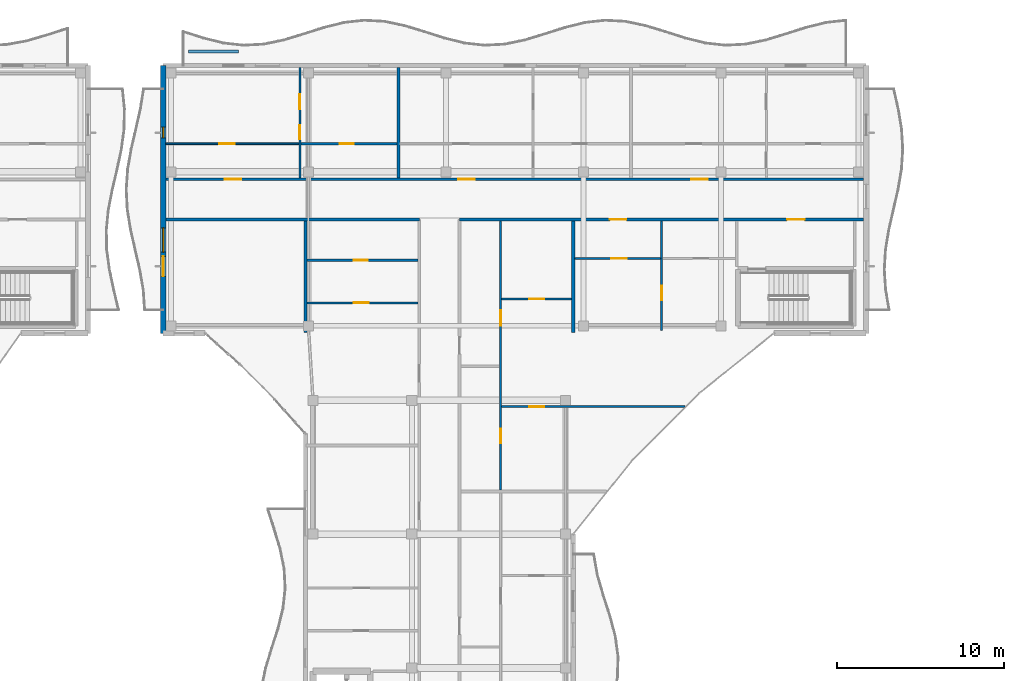
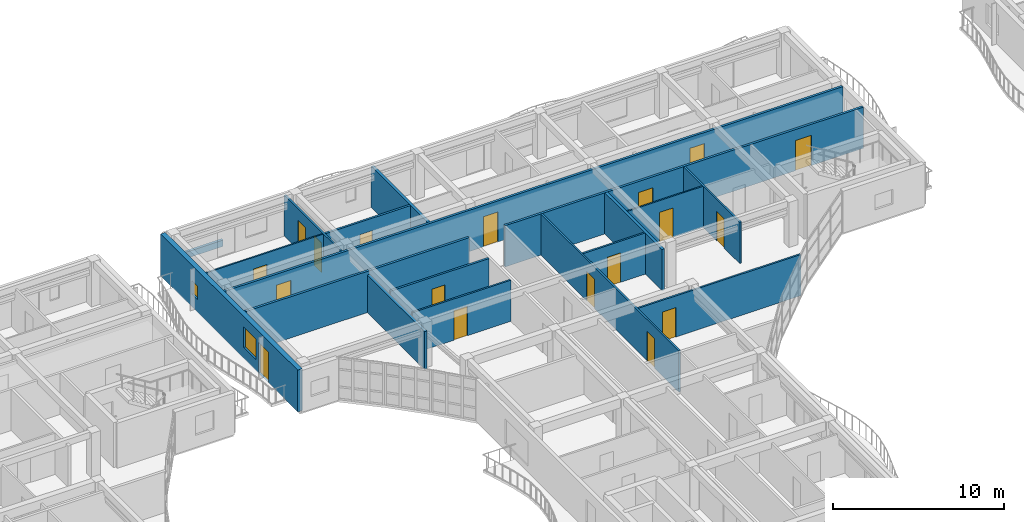
# One storey, part 36 of 76: 18 doors, 18 walls, 2 windows, 20 openings.
"""IFC4 building model written with IfcOpenShell, lengths in metres."""

from ifc_helpers import new_model, si_unit, direction, frame, frame_2d, origin, place, context, subcontext, project, spatial, rectangle, extrude, material, layer, layer_set, type_object, element, fill, save


model = new_model("IFC4")

# Units and contexts
model_context = context("Model", 3, precision=1e-05, world=origin(), true_north=direction((0.0, 1.0)))
body_context = subcontext(model_context, "Body", "Model", "MODEL_VIEW")
ifc_project = project(units=[si_unit("LENGTHUNIT", "METRE"), si_unit("AREAUNIT", "SQUARE_METRE"), si_unit("VOLUMEUNIT", "CUBIC_METRE"), si_unit("PLANEANGLEUNIT", "RADIAN"), si_unit("MASSUNIT", "GRAM", prefix="KILO")], contexts=[model_context])

# Site, building, storey
site_placement = place(None, origin())
site = spatial("IfcSite", under=ifc_project, at=site_placement, CompositionType="ELEMENT")
building_placement = place(site_placement, origin())
building = spatial("IfcBuilding", under=site, at=building_placement, Name="Keldmere Railside Commons", CompositionType="ELEMENT")
storey_placement = place(building_placement, frame((0.0, 0.0, 13.760009765625)))
storey = spatial("IfcBuildingStorey", under=building, at=storey_placement, Name="L04", CompositionType="ELEMENT", Elevation=13.760009765625)

# Walls
ifc_material_1 = material(Name="Acoustic Gypsum Board Partition", Category="gypsum")
ifc_layer_1 = layer(ifc_material_1, 0.179931640625, Name="Acoustic Demising Partition 180")
ifc_layer_set_1 = layer_set([ifc_layer_1], Name="Acoustic Gypsum Board Partition")
wall_type_1 = type_object("IfcWallType", Name="Acoustic Demising Partition 180", PredefinedType="PARTITIONING", material=ifc_layer_set_1)
wall_1_placement = place(storey_placement, frame((64.0, 100.050048828125, 0.0), z_axis=(0.0, 0.0, 1.0), x_axis=(0.0, 1.0, 0.0)))
element("IfcWall", 1, at=wall_1_placement, inside=storey, type_object=wall_type_1, Name="IW-1 IW-L04-0644", PredefinedType="PARTITIONING", context=body_context, shape_type="SweptSolid", body=[
    extrude(rectangle(XDim=6.669921875, YDim=0.179931640625, at=frame_2d((3.3349609375, 0.0))), origin(), (0.0, 0.0, 1.0), 2.93505859375),
])
wall_2_placement = place(storey_placement, frame((48.0, 100.050048828125, 0.0), z_axis=(0.0, 0.0, 1.0), x_axis=(0.0, 1.0, 0.0)))
element("IfcWall", 2, at=wall_2_placement, inside=storey, type_object=wall_type_1, Name="IW-1 IW-L04-0645", PredefinedType="PARTITIONING", context=body_context, shape_type="SweptSolid", body=[
    extrude(rectangle(XDim=6.669921875, YDim=0.179931640625, at=frame_2d((3.3349609375, 0.0))), origin(), (0.0, 0.0, 1.0), 2.679931640625),
])
wall_3_placement = place(storey_placement, frame((53.550048828125, 109.280029296875, 0.0), z_axis=(0.0, 0.0, 1.0), x_axis=(0.0, 1.0, 0.0)))
element("IfcWall", 3, at=wall_3_placement, inside=storey, type_object=wall_type_1, Name="IW-1 IW-L04-0662", PredefinedType="PARTITIONING", context=body_context, shape_type="SweptSolid", body=[
    extrude(rectangle(XDim=6.599853515625, YDim=0.179931640625, at=frame_2d((3.2998046875, 0.0))), origin(), (0.0, 0.0, 1.0), 2.93505859375),
])

# Wall, openings, doors
ifc_layer_2 = layer(ifc_material_1, 0.1201171875, Name="Apartment Interior Partition 120")
ifc_layer_set_2 = layer_set([ifc_layer_2], Name="Acoustic Gypsum Board Partition")
wall_type_2 = type_object("IfcWallType", Name="Apartment Interior Partition 120", PredefinedType="PARTITIONING", material=ifc_layer_set_2)
wall_4_placement = place(storey_placement, frame((59.659912109375, 90.6298828125, 0.0), z_axis=(0.0, 0.0, 1.0), x_axis=(0.0, 1.0, 0.0)))
wall_4 = element("IfcWall", 4, at=wall_4_placement, inside=storey, type_object=wall_type_2, Name="IW-4 IW-L04-0658", PredefinedType="PARTITIONING", context=body_context, shape_type="SweptSolid", body=[
    extrude(rectangle(XDim=16.090087890625, YDim=0.1201171875, at=frame_2d((8.044921875, 0.0))), origin(), (0.0, 0.0, 1.0), 2.93505859375),
])
opening_1_placement = place(wall_4_placement, frame((2.81201171875, 0.0, 0.0)))
opening_1 = element("IfcOpeningElement", 5, at=opening_1_placement, cuts=wall_4, Name="Opening ID-04", PredefinedType="OPENING", context=body_context, shape_type="SweptSolid", body=[
    extrude(rectangle(XDim=0.860107421875, YDim=2.10009765625, at=frame_2d((0.43017578125, 1.050048828125))), frame((0.0, 0.070068359375, 0.0), z_axis=(0.0, -1.0, 0.0), x_axis=(1.0, 0.0, 0.0)), (0.0, 0.0, 1.0), 0.14013671875),
])
opening_2_placement = place(wall_4_placement, frame((9.833251953125, 0.0, 0.0)))
opening_2 = element("IfcOpeningElement", 6, at=opening_2_placement, cuts=wall_4, Name="Opening ID-03", PredefinedType="OPENING", context=body_context, shape_type="SweptSolid", body=[
    extrude(rectangle(XDim=0.919921875, YDim=2.10009765625, at=frame_2d((0.4599609375, 1.050048828125))), frame((0.0, 0.070068359375, 0.0), z_axis=(0.0, -1.0, 0.0), x_axis=(1.0, 0.0, 0.0)), (0.0, 0.0, 1.0), 0.14013671875),
])
ifc_material_2 = material(Name="Engineered Oak Timber", Category="wood")
door_type_1 = type_object("IfcDoorType", Name="Apartment Bathroom Door 860x2100", OperationType="NOTDEFINED", PredefinedType="DOOR", material=ifc_material_2)
door_1_placement = place(opening_1_placement, origin())
door_1 = element("IfcDoor", 7, at=door_1_placement, inside=storey, type_object=door_type_1, Name="ID-04 IDR-L04-0544", OperationType="SINGLE_SWING_RIGHT", OverallHeight=2.10009765625, OverallWidth=0.860107421875, PredefinedType="DOOR", context=body_context, shape_type="SweptSolid", body=[
    extrude(rectangle(XDim=0.860107421875, YDim=2.10009765625, at=frame_2d((0.43017578125, 1.050048828125))), frame((0.0, 0.02490234375, 0.0), z_axis=(0.0, -1.0, 0.0), x_axis=(1.0, 0.0, 0.0)), (0.0, 0.0, 1.0), 0.050048828125),
])
fill(opening_1, door_1)
door_type_2 = type_object("IfcDoorType", Name="Kitchen Pocket-Frame Swing Door 920x2100", OperationType="NOTDEFINED", PredefinedType="DOOR", material=ifc_material_2)
door_2_placement = place(opening_2_placement, origin())
door_2 = element("IfcDoor", 8, at=door_2_placement, inside=storey, type_object=door_type_2, Name="ID-03 IDR-L04-0545", OperationType="SINGLE_SWING_LEFT", OverallHeight=2.10009765625, OverallWidth=0.919921875, PredefinedType="DOOR", context=body_context, shape_type="SweptSolid", body=[
    extrude(rectangle(XDim=0.919921875, YDim=2.10009765625, at=frame_2d((0.4599609375, 1.050048828125))), frame((0.0, 0.02490234375, 0.0), z_axis=(0.0, -1.0, 0.0), x_axis=(1.0, 0.0, 0.0)), (0.0, 0.0, 1.0), 0.050048828125),
])
fill(opening_2, door_2)

# Wall, opening, door
wall_5_placement = place(storey_placement, frame((59.719970703125, 95.6201171875, 0.0), z_axis=(0.0, 0.0, 1.0), x_axis=(1.0, 0.0, 0.0)))
wall_5 = element("IfcWall", 9, at=wall_5_placement, inside=storey, type_object=wall_type_2, Name="IW-4 IW-L04-0660", PredefinedType="PARTITIONING", context=body_context, shape_type="SweptSolid", body=[
    extrude(rectangle(XDim=10.967529296875, YDim=0.1201171875, at=frame_2d((5.48388671875, 0.0))), origin(), (0.0, 0.0, 1.0), 2.93505859375),
])
opening_3_placement = place(wall_5_placement, frame((1.64501953125, 0.0, 0.0)))
opening_3 = element("IfcOpeningElement", 10, at=opening_3_placement, cuts=wall_5, Name="Opening ID-01", PredefinedType="OPENING", context=body_context, shape_type="SweptSolid", body=[
    extrude(rectangle(XDim=0.89990234375, YDim=2.10009765625, at=frame_2d((0.449951171875, 1.050048828125))), frame((0.0, 0.070068359375, 0.0), z_axis=(0.0, -1.0, 0.0), x_axis=(1.0, 0.0, 0.0)), (0.0, 0.0, 1.0), 0.14013671875),
])
door_type_3 = type_object("IfcDoorType", Name="Primary Bedroom Door 900x2100", OperationType="NOTDEFINED", PredefinedType="DOOR", material=ifc_material_2)
door_3_placement = place(opening_3_placement, origin())
door_3 = element("IfcDoor", 11, at=door_3_placement, inside=storey, type_object=door_type_3, Name="ID-01 IDR-L04-0547", OperationType="SINGLE_SWING_LEFT", OverallHeight=2.10009765625, OverallWidth=0.89990234375, PredefinedType="DOOR", context=body_context, shape_type="SweptSolid", body=[
    extrude(rectangle(XDim=0.89990234375, YDim=2.10009765625, at=frame_2d((0.449951171875, 1.050048828125))), frame((0.0, 0.02490234375, 0.0), z_axis=(0.0, -1.0, 0.0), x_axis=(1.0, 0.0, 0.0)), (0.0, 0.0, 1.0), 0.050048828125),
])
fill(opening_3, door_3)

wall_6_placement = place(storey_placement, frame((59.719970703125, 102.050048828125, 0.0), z_axis=(0.0, 0.0, 1.0), x_axis=(1.0, 0.0, 0.0)))
wall_6 = element("IfcWall", 12, at=wall_6_placement, inside=storey, type_object=wall_type_2, Name="IW-4 IW-L04-0661", PredefinedType="PARTITIONING", context=body_context, shape_type="SweptSolid", body=[
    extrude(rectangle(XDim=4.18994140625, YDim=0.1201171875, at=frame_2d((2.094970703125, 0.0))), origin(), (0.0, 0.0, 1.0), 2.93505859375),
])
opening_4_placement = place(wall_6_placement, frame((1.655029296875, 0.0, 0.0)))
opening_4 = element("IfcOpeningElement", 13, at=opening_4_placement, cuts=wall_6, Name="Opening ID-02", PredefinedType="OPENING", context=body_context, shape_type="SweptSolid", body=[
    extrude(rectangle(XDim=0.8798828125, YDim=2.10009765625, at=frame_2d((0.43994140625, 1.050048828125))), frame((0.0, 0.070068359375, 0.0), z_axis=(0.0, -1.0, 0.0), x_axis=(1.0, 0.0, 0.0)), (0.0, 0.0, 1.0), 0.14013671875),
])
door_type_4 = type_object("IfcDoorType", Name="Secondary Bedroom Door 880x2100", OperationType="NOTDEFINED", PredefinedType="DOOR", material=ifc_material_2)
door_4_placement = place(opening_4_placement, origin())
door_4 = element("IfcDoor", 14, at=door_4_placement, inside=storey, type_object=door_type_4, Name="ID-02 IDR-L04-0548", OperationType="SINGLE_SWING_RIGHT", OverallHeight=2.10009765625, OverallWidth=0.8798828125, PredefinedType="DOOR", context=body_context, shape_type="SweptSolid", body=[
    extrude(rectangle(XDim=0.8798828125, YDim=2.10009765625, at=frame_2d((0.43994140625, 1.050048828125))), frame((0.0, 0.02490234375, 0.0), z_axis=(0.0, -1.0, 0.0), x_axis=(1.0, 0.0, 0.0)), (0.0, 0.0, 1.0), 0.050048828125),
])
fill(opening_4, door_4)

# Wall, openings, doors
wall_7_placement = place(storey_placement, frame((47.659912109375, 109.280029296875, 0.0), z_axis=(0.0, 0.0, 1.0), x_axis=(0.0, 1.0, 0.0)))
wall_7 = element("IfcWall", 15, at=wall_7_placement, inside=storey, type_object=wall_type_2, Name="IW-4 IW-L04-0664", PredefinedType="PARTITIONING", context=body_context, shape_type="SweptSolid", body=[
    extrude(rectangle(XDim=6.599853515625, YDim=0.1201171875, at=frame_2d((3.2998046875, 0.0))), origin(), (0.0, 0.0, 1.0), 2.93505859375),
])
opening_5_placement = place(wall_7_placement, frame((2.305908203125, 0.0, 0.0)))
opening_5 = element("IfcOpeningElement", 16, at=opening_5_placement, cuts=wall_7, Name="Opening ID-04", PredefinedType="OPENING", context=body_context, shape_type="SweptSolid", body=[
    extrude(rectangle(XDim=0.860107421875, YDim=2.10009765625, at=frame_2d((0.43017578125, 1.050048828125))), frame((0.0, 0.070068359375, 0.0), z_axis=(0.0, -1.0, 0.0), x_axis=(1.0, 0.0, 0.0)), (0.0, 0.0, 1.0), 0.14013671875),
])
opening_6_placement = place(wall_7_placement, frame((4.097412109375, 0.0, 0.0)))
opening_6 = element("IfcOpeningElement", 17, at=opening_6_placement, cuts=wall_7, Name="Opening ID-01", PredefinedType="OPENING", context=body_context, shape_type="SweptSolid", body=[
    extrude(rectangle(XDim=0.89990234375, YDim=2.10009765625, at=frame_2d((0.449951171875, 1.050048828125))), frame((0.0, 0.070068359375, 0.0), z_axis=(0.0, -1.0, 0.0), x_axis=(1.0, 0.0, 0.0)), (0.0, 0.0, 1.0), 0.14013671875),
])
door_5_placement = place(opening_5_placement, origin())
door_5 = element("IfcDoor", 18, at=door_5_placement, inside=storey, type_object=door_type_1, Name="ID-04 IDR-L04-0551", OperationType="SINGLE_SWING_LEFT", OverallHeight=2.10009765625, OverallWidth=0.860107421875, PredefinedType="DOOR", context=body_context, shape_type="SweptSolid", body=[
    extrude(rectangle(XDim=0.860107421875, YDim=2.10009765625, at=frame_2d((0.43017578125, 1.050048828125))), frame((0.0, 0.02490234375, 0.0), z_axis=(0.0, -1.0, 0.0), x_axis=(1.0, 0.0, 0.0)), (0.0, 0.0, 1.0), 0.050048828125),
])
fill(opening_5, door_5)
door_6_placement = place(opening_6_placement, origin())
door_6 = element("IfcDoor", 19, at=door_6_placement, inside=storey, type_object=door_type_3, Name="ID-01 IDR-L04-0552", OperationType="SINGLE_SWING_RIGHT", OverallHeight=2.10009765625, OverallWidth=0.89990234375, PredefinedType="DOOR", context=body_context, shape_type="SweptSolid", body=[
    extrude(rectangle(XDim=0.89990234375, YDim=2.10009765625, at=frame_2d((0.449951171875, 1.050048828125))), frame((0.0, 0.02490234375, 0.0), z_axis=(0.0, -1.0, 0.0), x_axis=(1.0, 0.0, 0.0)), (0.0, 0.0, 1.0), 0.050048828125),
])
fill(opening_6, door_6)

# Wall, opening, door
wall_8_placement = place(storey_placement, frame((69.280029296875, 100.159912109375, 0.0), z_axis=(0.0, 0.0, 1.0), x_axis=(0.0, 1.0, 0.0)))
wall_8 = element("IfcWall", 20, at=wall_8_placement, inside=storey, type_object=wall_type_2, Name="IW-4 IW-L04-0673", PredefinedType="PARTITIONING", context=body_context, shape_type="SweptSolid", body=[
    extrude(rectangle(XDim=6.56005859375, YDim=0.1201171875, at=frame_2d((3.280029296875, 0.0))), origin(), (0.0, 0.0, 1.0), 2.93505859375),
])
opening_7_placement = place(wall_8_placement, frame((1.810302734375, 0.0, 0.0)))
opening_7 = element("IfcOpeningElement", 21, at=opening_7_placement, cuts=wall_8, Name="Opening ID-02", PredefinedType="OPENING", context=body_context, shape_type="SweptSolid", body=[
    extrude(rectangle(XDim=0.8798828125, YDim=2.10009765625, at=frame_2d((0.43994140625, 1.050048828125))), frame((0.0, 0.070068359375, 0.0), z_axis=(0.0, -1.0, 0.0), x_axis=(1.0, 0.0, 0.0)), (0.0, 0.0, 1.0), 0.14013671875),
])
door_7_placement = place(opening_7_placement, origin())
door_7 = element("IfcDoor", 22, at=door_7_placement, inside=storey, type_object=door_type_4, Name="ID-02 IDR-L04-0566", OperationType="SINGLE_SWING_RIGHT", OverallHeight=2.10009765625, OverallWidth=0.8798828125, PredefinedType="DOOR", context=body_context, shape_type="SweptSolid", body=[
    extrude(rectangle(XDim=0.8798828125, YDim=2.10009765625, at=frame_2d((0.43994140625, 1.050048828125))), frame((0.0, 0.02490234375, 0.0), z_axis=(0.0, -1.0, 0.0), x_axis=(1.0, 0.0, 0.0)), (0.0, 0.0, 1.0), 0.050048828125),
])
fill(opening_7, door_7)

wall_9_placement = place(storey_placement, frame((48.090087890625, 101.820068359375, 0.0), z_axis=(0.0, 0.0, 1.0), x_axis=(1.0, 0.0, 0.0)))
wall_9 = element("IfcWall", 23, at=wall_9_placement, inside=storey, type_object=wall_type_2, Name="IW-4 IW-L04-0679", PredefinedType="PARTITIONING", context=body_context, shape_type="SweptSolid", body=[
    extrude(rectangle(XDim=6.6298828125, YDim=0.1201171875, at=frame_2d((3.31494140625, 0.0))), origin(), (0.0, 0.0, 1.0), 2.93505859375),
])
opening_8_placement = place(wall_9_placement, frame((2.78466796875, 0.0, 0.0)))
opening_8 = element("IfcOpeningElement", 24, at=opening_8_placement, cuts=wall_9, Name="Opening ID-03", PredefinedType="OPENING", context=body_context, shape_type="SweptSolid", body=[
    extrude(rectangle(XDim=0.919921875, YDim=2.10009765625, at=frame_2d((0.4599609375, 1.050048828125))), frame((0.0, 0.070068359375, 0.0), z_axis=(0.0, -1.0, 0.0), x_axis=(1.0, 0.0, 0.0)), (0.0, 0.0, 1.0), 0.14013671875),
])
door_8_placement = place(opening_8_placement, origin())
door_8 = element("IfcDoor", 25, at=door_8_placement, inside=storey, type_object=door_type_2, Name="ID-03 IDR-L04-0573", OperationType="SINGLE_SWING_LEFT", OverallHeight=2.10009765625, OverallWidth=0.919921875, PredefinedType="DOOR", context=body_context, shape_type="SweptSolid", body=[
    extrude(rectangle(XDim=0.919921875, YDim=2.10009765625, at=frame_2d((0.4599609375, 1.050048828125))), frame((0.0, 0.02490234375, 0.0), z_axis=(0.0, -1.0, 0.0), x_axis=(1.0, 0.0, 0.0)), (0.0, 0.0, 1.0), 0.050048828125),
])
fill(opening_8, door_8)

# Wall
ifc_material_3 = material(Name="White Precast Concrete H-35 (C35/45)", Category="concrete")
ifc_layer_3 = layer(ifc_material_3, 0.169921875, Name="Balcony Planter Kerb Wall 170")
ifc_layer_set_3 = layer_set([ifc_layer_3], Name="White Precast Concrete H-35 (C35/45)")
wall_type_3 = type_object("IfcWallType", Name="Balcony Planter Kerb Wall 170", PredefinedType="PARAPET", material=ifc_layer_set_3)
wall_10_placement = place(storey_placement, frame((41.0, 116.85009765625, 0.0), z_axis=(0.0, 0.0, 1.0), x_axis=(1.0, 0.0, 0.0)))
element("IfcWall", 26, at=wall_10_placement, inside=storey, type_object=wall_type_3, Name="PW-2 PKBC-L04-0361", PredefinedType="PARAPET", context=body_context, shape_type="SweptSolid", body=[
    extrude(rectangle(XDim=3.0, YDim=0.169921875, at=frame_2d((1.5, 0.0))), origin(), (0.0, 0.0, 1.0), 0.449951171875),
])

# Wall, opening, door
ifc_layer_4 = layer(ifc_material_1, 0.10009765625, Name="Closet Light Partition 100")
ifc_layer_set_4 = layer_set([ifc_layer_4], Name="Acoustic Gypsum Board Partition")
wall_type_4 = type_object("IfcWallType", Name="Closet Light Partition 100", PredefinedType="PARTITIONING", material=ifc_layer_set_4)
wall_11_placement = place(storey_placement, frame((39.659912109375, 111.330078125, 0.0), z_axis=(0.0, 0.0, 1.0), x_axis=(1.0, 0.0, 0.0)))
wall_11 = element("IfcWall", 27, at=wall_11_placement, inside=storey, type_object=wall_type_4, Name="IW-6 IW-L04-0666", PredefinedType="PARTITIONING", context=body_context, shape_type="SweptSolid", body=[
    extrude(rectangle(XDim=7.940185546875, YDim=0.10009765625, at=frame_2d((3.97021484375, 0.0))), origin(), (0.0, 0.0, 1.0), 2.93505859375),
])
opening_9_placement = place(wall_11_placement, frame((3.199951171875, 0.0, 0.0)))
opening_9 = element("IfcOpeningElement", 28, at=opening_9_placement, cuts=wall_11, Name="Opening ID-03", PredefinedType="OPENING", context=body_context, shape_type="SweptSolid", body=[
    extrude(rectangle(XDim=0.919921875, YDim=2.10009765625, at=frame_2d((0.4599609375, 1.050048828125))), frame((0.0, 0.06005859375, 0.0), z_axis=(0.0, -1.0, 0.0), x_axis=(1.0, 0.0, 0.0)), (0.0, 0.0, 1.0), 0.1201171875),
])
door_9_placement = place(opening_9_placement, origin())
door_9 = element("IfcDoor", 29, at=door_9_placement, inside=storey, type_object=door_type_2, Name="ID-03 IDR-L04-0550", OperationType="SINGLE_SWING_RIGHT", OverallHeight=2.10009765625, OverallWidth=0.919921875, PredefinedType="DOOR", context=body_context, shape_type="SweptSolid", body=[
    extrude(rectangle(XDim=0.919921875, YDim=2.10009765625, at=frame_2d((0.4599609375, 1.050048828125))), frame((0.0, 0.02490234375, 0.0), z_axis=(0.0, -1.0, 0.0), x_axis=(1.0, 0.0, 0.0)), (0.0, 0.0, 1.0), 0.050048828125),
])
fill(opening_9, door_9)

wall_12_placement = place(storey_placement, frame((64.090087890625, 104.469970703125, 0.0), z_axis=(0.0, 0.0, 1.0), x_axis=(1.0, 0.0, 0.0)))
wall_12 = element("IfcWall", 30, at=wall_12_placement, inside=storey, type_object=wall_type_4, Name="IW-6 IW-L04-0675", PredefinedType="PARTITIONING", context=body_context, shape_type="SweptSolid", body=[
    extrude(rectangle(XDim=5.1298828125, YDim=0.10009765625, at=frame_2d((2.56494140625, 0.0))), origin(), (0.0, 0.0, 1.0), 2.93505859375),
])
opening_10_placement = place(wall_12_placement, frame((2.1796875, 0.0, 0.0)))
opening_10 = element("IfcOpeningElement", 31, at=opening_10_placement, cuts=wall_12, Name="Opening ID-03", PredefinedType="OPENING", context=body_context, shape_type="SweptSolid", body=[
    extrude(rectangle(XDim=0.919921875, YDim=2.10009765625, at=frame_2d((0.4599609375, 1.050048828125))), frame((0.0, 0.06005859375, 0.0), z_axis=(0.0, -1.0, 0.0), x_axis=(1.0, 0.0, 0.0)), (0.0, 0.0, 1.0), 0.1201171875),
])
door_10_placement = place(opening_10_placement, origin())
door_10 = element("IfcDoor", 32, at=door_10_placement, inside=storey, type_object=door_type_2, Name="ID-03 IDR-L04-0565", OperationType="SINGLE_SWING_LEFT", OverallHeight=2.10009765625, OverallWidth=0.919921875, PredefinedType="DOOR", context=body_context, shape_type="SweptSolid", body=[
    extrude(rectangle(XDim=0.919921875, YDim=2.10009765625, at=frame_2d((0.4599609375, 1.050048828125))), frame((0.0, 0.02490234375, 0.0), z_axis=(0.0, -1.0, 0.0), x_axis=(1.0, 0.0, 0.0)), (0.0, 0.0, 1.0), 0.050048828125),
])
fill(opening_10, door_10)

# Wall
ifc_layer_5 = layer(ifc_material_1, 0.159912109375, Name="Corridor Fire Partition 160")
ifc_layer_set_5 = layer_set([ifc_layer_5], Name="Acoustic Gypsum Board Partition")
wall_type_5 = type_object("IfcWallType", Name="Corridor Fire Partition 160", PredefinedType="PARTITIONING", material=ifc_layer_set_5)
wall_13_placement = place(storey_placement, frame((39.659912109375, 106.800048828125, 0.0), z_axis=(0.0, 0.0, 1.0), x_axis=(1.0, 0.0, 0.0)))
element("IfcWall", 33, at=wall_13_placement, inside=storey, type_object=wall_type_5, Name="IW-2 IW-L04-0641", PredefinedType="PARTITIONING", context=body_context, shape_type="SweptSolid", body=[
    extrude(rectangle(XDim=15.14013671875, YDim=0.159912109375, at=frame_2d((7.570068359375, 0.0))), origin(), (0.0, 0.0, 1.0), 2.93505859375),
])

# Wall, openings, doors
wall_14_placement = place(storey_placement, frame((57.199951171875, 106.800048828125, 0.0), z_axis=(0.0, 0.0, 1.0), x_axis=(1.0, 0.0, 0.0)))
wall_14 = element("IfcWall", 34, at=wall_14_placement, inside=storey, type_object=wall_type_5, Name="IW-2 IW-L04-0642", PredefinedType="PARTITIONING", context=body_context, shape_type="SweptSolid", body=[
    extrude(rectangle(XDim=24.14013671875, YDim=0.159912109375, at=frame_2d((12.070068359375, 0.0))), origin(), (0.0, 0.0, 1.0), 2.93505859375),
])
opening_11_placement = place(wall_14_placement, frame((19.574951171875, 0.0, 0.0)))
opening_11 = element("IfcOpeningElement", 35, at=opening_11_placement, cuts=wall_14, Name="Opening FD-1", PredefinedType="OPENING", context=body_context, shape_type="SweptSolid", body=[
    extrude(rectangle(XDim=1.050048828125, YDim=2.14990234375, at=frame_2d((0.52490234375, 1.074951171875))), frame((0.0, 0.08984375, 0.0), z_axis=(0.0, -1.0, 0.0), x_axis=(1.0, 0.0, 0.0)), (0.0, 0.0, 1.0), 0.179931640625),
])
opening_12_placement = place(wall_14_placement, frame((8.9951171875, 0.0, 0.0)))
opening_12 = element("IfcOpeningElement", 36, at=opening_12_placement, cuts=wall_14, Name="Opening FD-7", PredefinedType="OPENING", context=body_context, shape_type="SweptSolid", body=[
    extrude(rectangle(XDim=0.97998046875, YDim=2.14990234375, at=frame_2d((0.489990234375, 1.074951171875))), frame((0.0, 0.08984375, 0.0), z_axis=(0.0, -1.0, 0.0), x_axis=(1.0, 0.0, 0.0)), (0.0, 0.0, 1.0), 0.179931640625),
])
door_type_5 = type_object("IfcDoorType", Name="Apartment Entrance Acoustic Fire Door 980x2150", OperationType="NOTDEFINED", PredefinedType="DOOR", material=ifc_material_2)
door_11_placement = place(opening_12_placement, origin())
door_11 = element("IfcDoor", 37, at=door_11_placement, inside=storey, type_object=door_type_5, Name="FD-7 IDR-L04-0564", OperationType="SINGLE_SWING_RIGHT", OverallHeight=2.14990234375, OverallWidth=0.97998046875, PredefinedType="DOOR", context=body_context, shape_type="SweptSolid", body=[
    extrude(rectangle(XDim=0.97998046875, YDim=2.14990234375, at=frame_2d((0.489990234375, 1.074951171875))), frame((0.0, 0.02490234375, 0.0), z_axis=(0.0, -1.0, 0.0), x_axis=(1.0, 0.0, 0.0)), (0.0, 0.0, 1.0), 0.050048828125),
])
fill(opening_12, door_11)
ifc_material_4 = material(Name="Steel F-24 (S235)", Category="steel")
door_type_6 = type_object("IfcDoorType", Name="Stair Core Fire Door 1050x2150", OperationType="NOTDEFINED", PredefinedType="DOOR", material=ifc_material_4)
door_12_placement = place(opening_11_placement, origin())
door_12 = element("IfcDoor", 38, at=door_12_placement, inside=storey, type_object=door_type_6, Name="FD-1 IDR-L04-0531", OperationType="SINGLE_SWING_LEFT", OverallHeight=2.14990234375, OverallWidth=1.050048828125, PredefinedType="DOOR", context=body_context, shape_type="SweptSolid", body=[
    extrude(rectangle(XDim=1.050048828125, YDim=2.14990234375, at=frame_2d((0.52490234375, 1.074951171875))), frame((0.0, 0.02490234375, 0.0), z_axis=(0.0, -1.0, 0.0), x_axis=(1.0, 0.0, 0.0)), (0.0, 0.0, 1.0), 0.050048828125),
])
fill(opening_11, door_12)

wall_15_placement = place(storey_placement, frame((39.659912109375, 109.199951171875, 0.0), z_axis=(0.0, 0.0, 1.0), x_axis=(1.0, 0.0, 0.0)))
wall_15 = element("IfcWall", 39, at=wall_15_placement, inside=storey, type_object=wall_type_5, Name="IW-2 IW-L04-0643", PredefinedType="PARTITIONING", context=body_context, shape_type="SweptSolid", body=[
    extrude(rectangle(XDim=41.68017578125, YDim=0.159912109375, at=frame_2d((20.840087890625, 0.0))), origin(), (0.0, 0.0, 1.0), 2.93505859375),
])
opening_13_placement = place(wall_15_placement, frame((3.510009765625, 0.0, 0.0)))
opening_13 = element("IfcOpeningElement", 40, at=opening_13_placement, cuts=wall_15, Name="Opening FD-7", PredefinedType="OPENING", context=body_context, shape_type="SweptSolid", body=[
    extrude(rectangle(XDim=0.97998046875, YDim=2.14990234375, at=frame_2d((0.489990234375, 1.074951171875))), frame((0.0, 0.08984375, 0.0), z_axis=(0.0, -1.0, 0.0), x_axis=(1.0, 0.0, 0.0)), (0.0, 0.0, 1.0), 0.179931640625),
])
opening_14_placement = place(wall_15_placement, frame((17.469970703125, 0.0, 0.0)))
opening_14 = element("IfcOpeningElement", 41, at=opening_14_placement, cuts=wall_15, Name="Opening FD-7", PredefinedType="OPENING", context=body_context, shape_type="SweptSolid", body=[
    extrude(rectangle(XDim=0.97998046875, YDim=2.14990234375, at=frame_2d((0.489990234375, 1.074951171875))), frame((0.0, 0.08984375, 0.0), z_axis=(0.0, -1.0, 0.0), x_axis=(1.0, 0.0, 0.0)), (0.0, 0.0, 1.0), 0.179931640625),
])
opening_15_placement = place(wall_15_placement, frame((31.389892578125, 0.0, 0.0)))
opening_15 = element("IfcOpeningElement", 42, at=opening_15_placement, cuts=wall_15, Name="Opening FD-7", PredefinedType="OPENING", context=body_context, shape_type="SweptSolid", body=[
    extrude(rectangle(XDim=0.97998046875, YDim=2.14990234375, at=frame_2d((0.489990234375, 1.074951171875))), frame((0.0, 0.08984375, 0.0), z_axis=(0.0, -1.0, 0.0), x_axis=(1.0, 0.0, 0.0)), (0.0, 0.0, 1.0), 0.179931640625),
])
door_13_placement = place(opening_13_placement, origin())
door_13 = element("IfcDoor", 43, at=door_13_placement, inside=storey, type_object=door_type_5, Name="FD-7 IDR-L04-0549", OperationType="SINGLE_SWING_LEFT", OverallHeight=2.14990234375, OverallWidth=0.97998046875, PredefinedType="DOOR", context=body_context, shape_type="SweptSolid", body=[
    extrude(rectangle(XDim=0.97998046875, YDim=2.14990234375, at=frame_2d((0.489990234375, 1.074951171875))), frame((0.0, 0.02490234375, 0.0), z_axis=(0.0, -1.0, 0.0), x_axis=(1.0, 0.0, 0.0)), (0.0, 0.0, 1.0), 0.050048828125),
])
fill(opening_13, door_13)
door_14_placement = place(opening_14_placement, origin())
door_14 = element("IfcDoor", 44, at=door_14_placement, inside=storey, type_object=door_type_5, Name="FD-7 IDR-L04-0554", OperationType="SINGLE_SWING_RIGHT", OverallHeight=2.14990234375, OverallWidth=0.97998046875, PredefinedType="DOOR", context=body_context, shape_type="SweptSolid", body=[
    extrude(rectangle(XDim=0.97998046875, YDim=2.14990234375, at=frame_2d((0.489990234375, 1.074951171875))), frame((0.0, 0.02490234375, 0.0), z_axis=(0.0, -1.0, 0.0), x_axis=(1.0, 0.0, 0.0)), (0.0, 0.0, 1.0), 0.050048828125),
])
fill(opening_14, door_14)
door_15_placement = place(opening_15_placement, origin())
door_15 = element("IfcDoor", 45, at=door_15_placement, inside=storey, type_object=door_type_5, Name="FD-7 IDR-L04-0559", OperationType="SINGLE_SWING_LEFT", OverallHeight=2.14990234375, OverallWidth=0.97998046875, PredefinedType="DOOR", context=body_context, shape_type="SweptSolid", body=[
    extrude(rectangle(XDim=0.97998046875, YDim=2.14990234375, at=frame_2d((0.489990234375, 1.074951171875))), frame((0.0, 0.02490234375, 0.0), z_axis=(0.0, -1.0, 0.0), x_axis=(1.0, 0.0, 0.0)), (0.0, 0.0, 1.0), 0.050048828125),
])
fill(opening_15, door_15)

# Wall, openings, door, windows
ifc_material_5 = material(Name="Concrete H-35 (C35/45)", Category="concrete")
ifc_layer_6 = layer(ifc_material_5, 0.320068359375, Name="Exterior Shear Wall 320")
ifc_layer_set_6 = layer_set([ifc_layer_6], Name="Concrete H-35 (C35/45)")
wall_type_6 = type_object("IfcWallType", Name="Exterior Shear Wall 320", PredefinedType="SHEAR", material=ifc_layer_set_6)
wall_16_placement = place(storey_placement, frame((39.5, 100.0, 0.0), z_axis=(0.0, 0.0, 1.0), x_axis=(0.0, 1.0, 0.0)))
wall_16 = element("IfcWall", 46, at=wall_16_placement, inside=storey, type_object=wall_type_6, Name="ESW-2 EXTC-L04-0358", PredefinedType="SHEAR", context=body_context, shape_type="SweptSolid", body=[
    extrude(rectangle(XDim=16.0, YDim=0.320068359375, at=frame_2d((8.0, 0.0))), origin(), (0.0, 0.0, 1.0), 2.97998046875),
])
opening_16_placement = place(wall_16_placement, frame((3.39990234375, 0.0, 0.0)))
opening_16 = element("IfcOpeningElement", 47, at=opening_16_placement, cuts=wall_16, Name="Opening BD-01", PredefinedType="OPENING", context=body_context, shape_type="SweptSolid", body=[
    extrude(rectangle(XDim=1.199951171875, YDim=2.199951171875, at=frame_2d((0.60009765625, 1.10009765625))), frame((0.0, 0.169921875, 0.0), z_axis=(0.0, -1.0, 0.0), x_axis=(1.0, 0.0, 0.0)), (0.0, 0.0, 1.0), 0.340087890625),
])
opening_17_placement = place(wall_16_placement, frame((4.85009765625, 0.0, 0.77001953125)))
opening_17 = element("IfcOpeningElement", 48, at=opening_17_placement, cuts=wall_16, Name="Opening WN-24", PredefinedType="OPENING", context=body_context, shape_type="SweptSolid", body=[
    extrude(rectangle(XDim=1.449951171875, YDim=1.449951171875, at=frame_2d((0.72509765625, 0.72509765625))), frame((0.0, 0.169921875, 0.0), z_axis=(0.0, -1.0, 0.0), x_axis=(1.0, 0.0, 0.0)), (0.0, 0.0, 1.0), 0.340087890625),
])
opening_18_placement = place(wall_16_placement, frame((11.675048828125, 0.0, 0.89990234375)))
opening_18 = element("IfcOpeningElement", 49, at=opening_18_placement, cuts=wall_16, Name="Opening WN-15", PredefinedType="OPENING", context=body_context, shape_type="SweptSolid", body=[
    extrude(rectangle(XDim=0.64990234375, YDim=0.949951171875, at=frame_2d((0.324951171875, 0.47509765625))), frame((0.0, 0.169921875, 0.0), z_axis=(0.0, -1.0, 0.0), x_axis=(1.0, 0.0, 0.0)), (0.0, 0.0, 1.0), 0.340087890625),
])
ifc_material_6 = material(Name="Thermally Broken Aluminium", Category="aluminium")
door_type_7 = type_object("IfcDoorType", Name="Apartment Living Wave-Balcony Glazed Door 1200x2200", OperationType="NOTDEFINED", PredefinedType="DOOR", material=ifc_material_6)
door_16_placement = place(opening_16_placement, origin())
door_16 = element("IfcDoor", 50, at=door_16_placement, inside=storey, type_object=door_type_7, Name="BD-01 DR-L04-0083", OperationType="SINGLE_SWING_LEFT", OverallHeight=2.199951171875, OverallWidth=1.199951171875, PredefinedType="DOOR", context=body_context, shape_type="SweptSolid", body=[
    extrude(rectangle(XDim=1.199951171875, YDim=2.199951171875, at=frame_2d((0.60009765625, 1.10009765625))), frame((0.0, 0.02490234375, 0.0), z_axis=(0.0, -1.0, 0.0), x_axis=(1.0, 0.0, 0.0)), (0.0, 0.0, 1.0), 0.050048828125),
])
fill(opening_16, door_16)
ifc_material_7 = material(Name="Low-E Insulated Double Glazing", Category="glass")
window_type_1 = type_object("IfcWindowType", Name="Exterior Bathroom Frosted Window 650x950", PartitioningType="SINGLE_PANEL", PredefinedType="WINDOW", material=ifc_material_7)
window_1_placement = place(opening_18_placement, origin())
window_1 = element("IfcWindow", 51, at=window_1_placement, inside=storey, type_object=window_type_1, Name="WN-15 WIN-L04-0242", OverallHeight=0.949951171875, OverallWidth=0.64990234375, PartitioningType="SINGLE_PANEL", PredefinedType="WINDOW", context=body_context, shape_type="SweptSolid", body=[
    extrude(rectangle(XDim=0.64990234375, YDim=0.949951171875, at=frame_2d((0.324951171875, 0.47509765625))), frame((0.0, 0.030029296875, 0.0), z_axis=(0.0, -1.0, 0.0), x_axis=(1.0, 0.0, 0.0)), (0.0, 0.0, 1.0), 0.06005859375),
])
fill(opening_18, window_1)
window_type_2 = type_object("IfcWindowType", Name="Setback Terrace Bedroom Window 1450x1450", PartitioningType="SINGLE_PANEL", PredefinedType="WINDOW", material=ifc_material_7)
window_2_placement = place(opening_17_placement, origin())
window_2 = element("IfcWindow", 52, at=window_2_placement, inside=storey, type_object=window_type_2, Name="WN-24 WIN-L04-0241", OverallHeight=1.449951171875, OverallWidth=1.449951171875, PartitioningType="SINGLE_PANEL", PredefinedType="WINDOW", context=body_context, shape_type="SweptSolid", body=[
    extrude(rectangle(XDim=1.449951171875, YDim=1.449951171875, at=frame_2d((0.72509765625, 0.72509765625))), frame((0.0, 0.030029296875, 0.0), z_axis=(0.0, -1.0, 0.0), x_axis=(1.0, 0.0, 0.0)), (0.0, 0.0, 1.0), 0.06005859375),
])
fill(opening_17, window_2)

# Wall, opening, door
ifc_layer_7 = layer(ifc_material_1, 0.139892578125, Name="Wet-Room Sanitary Partition 140")
ifc_layer_set_7 = layer_set([ifc_layer_7], Name="Acoustic Gypsum Board Partition")
wall_type_7 = type_object("IfcWallType", Name="Wet-Room Sanitary Partition 140", PredefinedType="PARTITIONING", material=ifc_layer_set_7)
wall_17_placement = place(storey_placement, frame((47.719970703125, 111.330078125, 0.0), z_axis=(0.0, 0.0, 1.0), x_axis=(1.0, 0.0, 0.0)))
wall_17 = element("IfcWall", 53, at=wall_17_placement, inside=storey, type_object=wall_type_7, Name="IW-5 IW-L04-0665", PredefinedType="PARTITIONING", context=body_context, shape_type="SweptSolid", body=[
    extrude(rectangle(XDim=5.739990234375, YDim=0.139892578125, at=frame_2d((2.8701171875, 0.0))), origin(), (0.0, 0.0, 1.0), 2.93505859375),
])
opening_19_placement = place(wall_17_placement, frame((2.320068359375, 0.0, 0.0)))
opening_19 = element("IfcOpeningElement", 54, at=opening_19_placement, cuts=wall_17, Name="Opening ID-06", PredefinedType="OPENING", context=body_context, shape_type="SweptSolid", body=[
    extrude(rectangle(XDim=0.85009765625, YDim=2.050048828125, at=frame_2d((0.425048828125, 1.02490234375))), frame((0.0, 0.079833984375, 0.0), z_axis=(0.0, -1.0, 0.0), x_axis=(1.0, 0.0, 0.0)), (0.0, 0.0, 1.0), 0.159912109375),
])
door_type_8 = type_object("IfcDoorType", Name="Storage Closet Door 850x2050", OperationType="NOTDEFINED", PredefinedType="DOOR", material=ifc_material_2)
door_17_placement = place(opening_19_placement, origin())
door_17 = element("IfcDoor", 55, at=door_17_placement, inside=storey, type_object=door_type_8, Name="ID-06 IDR-L04-0553", OperationType="SINGLE_SWING_LEFT", OverallHeight=2.050048828125, OverallWidth=0.85009765625, PredefinedType="DOOR", context=body_context, shape_type="SweptSolid", body=[
    extrude(rectangle(XDim=0.85009765625, YDim=2.050048828125, at=frame_2d((0.425048828125, 1.02490234375))), frame((0.0, 0.02490234375, 0.0), z_axis=(0.0, -1.0, 0.0), x_axis=(1.0, 0.0, 0.0)), (0.0, 0.0, 1.0), 0.050048828125),
])
fill(opening_19, door_17)

wall_18_placement = place(storey_placement, frame((48.090087890625, 104.3701171875, 0.0), z_axis=(0.0, 0.0, 1.0), x_axis=(1.0, 0.0, 0.0)))
wall_18 = element("IfcWall", 56, at=wall_18_placement, inside=storey, type_object=wall_type_7, Name="IW-5 IW-L04-0680", PredefinedType="PARTITIONING", context=body_context, shape_type="SweptSolid", body=[
    extrude(rectangle(XDim=6.6298828125, YDim=0.139892578125, at=frame_2d((3.31494140625, 0.0))), origin(), (0.0, 0.0, 1.0), 2.93505859375),
])
opening_20_placement = place(wall_18_placement, frame((2.78466796875, 0.0, 0.0)))
opening_20 = element("IfcOpeningElement", 57, at=opening_20_placement, cuts=wall_18, Name="Opening ID-04", PredefinedType="OPENING", context=body_context, shape_type="SweptSolid", body=[
    extrude(rectangle(XDim=0.860107421875, YDim=2.10009765625, at=frame_2d((0.43017578125, 1.050048828125))), frame((0.0, 0.079833984375, 0.0), z_axis=(0.0, -1.0, 0.0), x_axis=(1.0, 0.0, 0.0)), (0.0, 0.0, 1.0), 0.159912109375),
])
door_18_placement = place(opening_20_placement, origin())
door_18 = element("IfcDoor", 58, at=door_18_placement, inside=storey, type_object=door_type_1, Name="ID-04 IDR-L04-0572", OperationType="SINGLE_SWING_RIGHT", OverallHeight=2.10009765625, OverallWidth=0.860107421875, PredefinedType="DOOR", context=body_context, shape_type="SweptSolid", body=[
    extrude(rectangle(XDim=0.860107421875, YDim=2.10009765625, at=frame_2d((0.43017578125, 1.050048828125))), frame((0.0, 0.02490234375, 0.0), z_axis=(0.0, -1.0, 0.0), x_axis=(1.0, 0.0, 0.0)), (0.0, 0.0, 1.0), 0.050048828125),
])
fill(opening_20, door_18)

save(model, "model.ifc")
